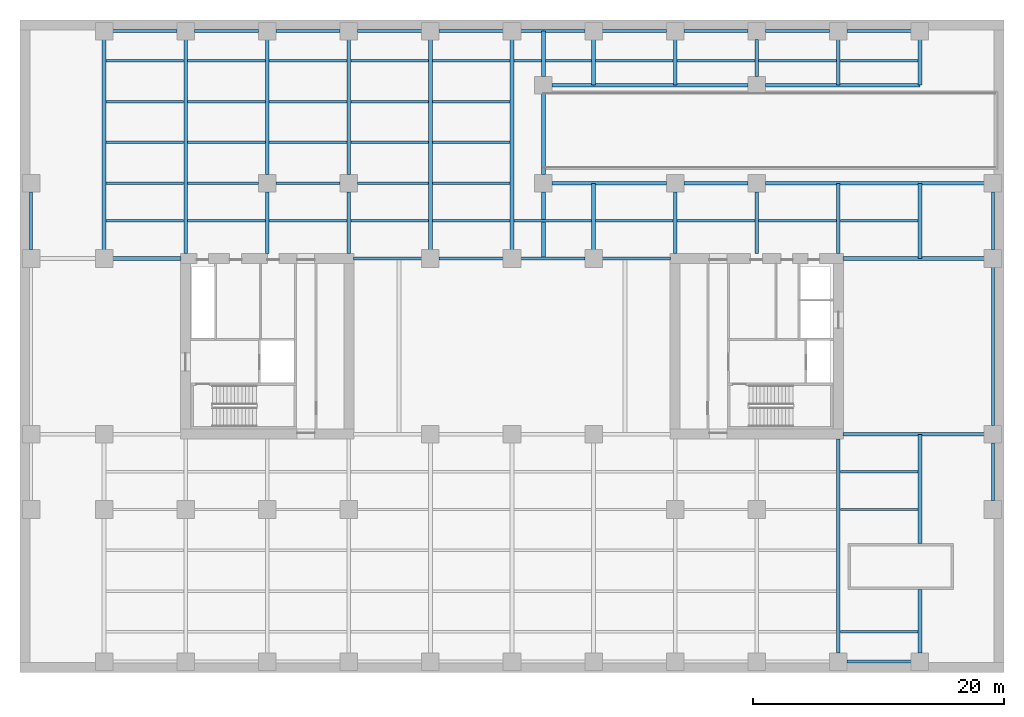
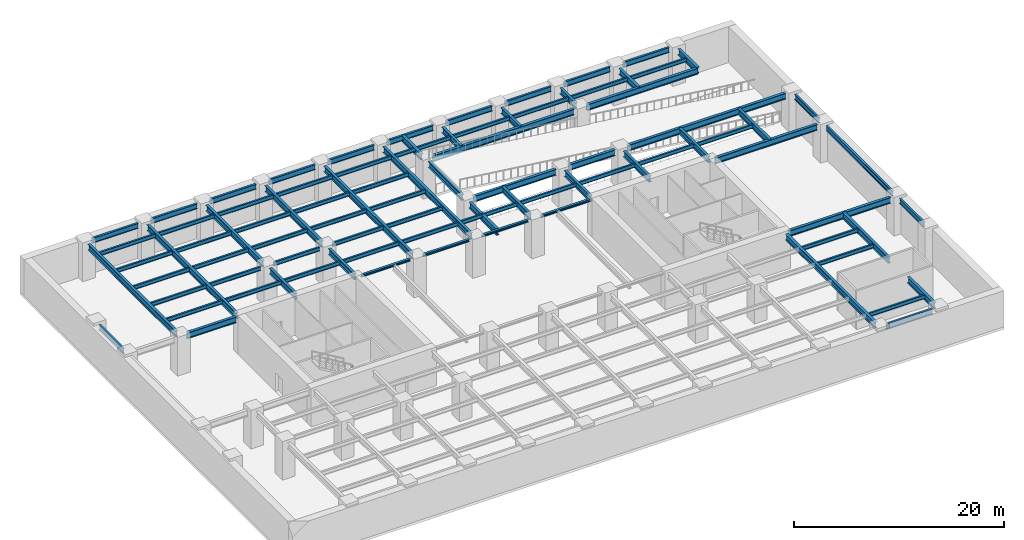
# One storey, part 2 of 10: 89 beams.
"""IFC4 building model written with IfcOpenShell, lengths in metres."""

from ifc_helpers import new_model, si_unit, direction, frame, origin, origin_2d, place, context, subcontext, project, spatial, i_section, extrude, material, material_profile, profile_set, type_object, element, save


model = new_model("IFC4")

# Units and contexts
model_context = context("Model", 3, precision=1e-05, world=origin(), true_north=direction((0.0, 1.0)))
body_context = subcontext(model_context, "Body", "Model", "MODEL_VIEW")
ifc_project = project(units=[si_unit("LENGTHUNIT", "METRE"), si_unit("AREAUNIT", "SQUARE_METRE"), si_unit("VOLUMEUNIT", "CUBIC_METRE"), si_unit("PLANEANGLEUNIT", "RADIAN"), si_unit("MASSUNIT", "GRAM", prefix="KILO")], contexts=[model_context])

# Site, building, storey
site_placement = place(None, origin())
site = spatial("IfcSite", under=ifc_project, at=site_placement, CompositionType="ELEMENT")
building_placement = place(site_placement, origin())
building = spatial("IfcBuilding", under=site, at=building_placement, Name="Putna Gate Headquarters", CompositionType="ELEMENT")
storey_placement = place(building_placement, frame((0.0, 0.0, -9.0)))
storey = spatial("IfcBuildingStorey", under=building, at=storey_placement, Name="B02", CompositionType="ELEMENT", Elevation=-9.0)

# Beams
ifc_material = material(Name="Steel S355J2", Category="steel")
ifc_material_profile_1 = material_profile(ifc_material, i_section(OverallWidth=0.260009765625, OverallDepth=0.260009765625, WebThickness=0.010009765625, FlangeThickness=0.017578125, at=origin_2d()), Name="Steel S355J2")
ifc_profile_set_1 = profile_set([ifc_material_profile_1], Name="Steel S355J2")
beam_type_1 = type_object("IfcBeamType", Name="BM-ATRIUM-HEB260", PredefinedType="BEAM", material=ifc_profile_set_1)
beam_1_placement = place(storey_placement, frame((26.385009765625, 33.0, 4.070068359375), z_axis=(1.0, 0.0, 0.0), x_axis=(0.0, 1.0, 0.0)))
element("IfcBeam", 1, at=beam_1_placement, inside=storey, type_object=beam_type_1, Name="B02 Atrium Edge Beam AN1", PredefinedType="BEAM", context=body_context, shape_type="SweptSolid", body=[
    extrude(i_section(OverallWidth=0.260009765625, OverallDepth=0.260009765625, WebThickness=0.010009765625, FlangeThickness=0.017578125, at=origin_2d()), origin(), (0.0, 0.0, 1.0), 5.427001953125),
])
for number, where, z_axis, x_axis, name in (
    (2, (33.18798828125, 33.0, 4.070068359375), (1.0, 0.0, 0.0), (0.0, 1.0, 0.0), "B02 Atrium Edge Beam AN2"),
    (3, (39.68798828125, 33.0, 4.070068359375), (1.0, 0.0, 0.0), (0.0, 1.0, 0.0), "B02 Atrium Edge Beam AN3"),
):
    element("IfcBeam", number, at=place(storey_placement, frame(where, z_axis=z_axis, x_axis=x_axis)), inside=storey, type_object=beam_type_1, Name=name, PredefinedType="BEAM", context=body_context, shape_type="SweptSolid", body=[
        extrude(i_section(OverallWidth=0.260009765625, OverallDepth=0.260009765625, WebThickness=0.010009765625, FlangeThickness=0.017578125, at=origin_2d()), origin(), (0.0, 0.0, 1.0), 5.1240234375),
    ])
beam_2_placement = place(storey_placement, frame((46.18798828125, 33.0, 4.070068359375), z_axis=(1.0, 0.0, 0.0), x_axis=(0.0, 1.0, 0.0)))
element("IfcBeam", 4, at=beam_2_placement, inside=storey, type_object=beam_type_1, Name="B02 Atrium Edge Beam AN4", PredefinedType="BEAM", context=body_context, shape_type="SweptSolid", body=[
    extrude(i_section(OverallWidth=0.260009765625, OverallDepth=0.260009765625, WebThickness=0.010009765625, FlangeThickness=0.017578125, at=origin_2d()), origin(), (0.0, 0.0, 1.0), 5.427001953125),
])
ifc_material_profile_2 = material_profile(ifc_material, i_section(OverallWidth=0.300048828125, OverallDepth=0.699951171875, WebThickness=0.01708984375, FlangeThickness=0.031982421875, at=origin_2d()), Name="Steel S355J2")
ifc_profile_set_2 = profile_set([ifc_material_profile_2], Name="Steel S355J2")
beam_type_2 = type_object("IfcBeamType", Name="BM-GIRD-B-HEB700", PredefinedType="USERDEFINED", material=ifc_profile_set_2)
beam_3_placement = place(storey_placement, frame((65.385009765625, 19.0, 3.85009765625), z_axis=(1.0, 0.0, 0.0), x_axis=(0.0, 1.0, 0.0)))
element("IfcBeam", 5, at=beam_3_placement, inside=storey, type_object=beam_type_2, Name="B02 East Wing Girder Y19", ObjectType="GIRDER", PredefinedType="USERDEFINED", context=body_context, shape_type="SweptSolid", body=[
    extrude(i_section(OverallWidth=0.300048828125, OverallDepth=0.699951171875, WebThickness=0.01708984375, FlangeThickness=0.031982421875, at=origin_2d()), origin(), (0.0, 0.0, 1.0), 11.2470703125),
])
beam_4_placement = place(storey_placement, frame((7.18798828125, 33.0, 3.85009765625), z_axis=(1.0, 0.0, 0.0), x_axis=(0.0, 1.0, 0.0)))
element("IfcBeam", 6, at=beam_4_placement, inside=storey, type_object=beam_type_2, Name="B02 West Wing Girder Y33-2", ObjectType="GIRDER", PredefinedType="USERDEFINED", context=body_context, shape_type="SweptSolid", body=[
    extrude(i_section(OverallWidth=0.300048828125, OverallDepth=0.699951171875, WebThickness=0.01708984375, FlangeThickness=0.031982421875, at=origin_2d()), origin(), (0.0, 0.0, 1.0), 5.427001953125),
])
beam_5_placement = place(storey_placement, frame((65.385009765625, 33.0, 3.85009765625), z_axis=(1.0, 0.0, 0.0), x_axis=(0.0, 1.0, 0.0)))
element("IfcBeam", 7, at=beam_5_placement, inside=storey, type_object=beam_type_2, Name="B02 East Wing Girder Y33", ObjectType="GIRDER", PredefinedType="USERDEFINED", context=body_context, shape_type="SweptSolid", body=[
    extrude(i_section(OverallWidth=0.300048828125, OverallDepth=0.699951171875, WebThickness=0.01708984375, FlangeThickness=0.031982421875, at=origin_2d()), origin(), (0.0, 0.0, 1.0), 11.2470703125),
])
beam_6_placement = place(storey_placement, frame((41.5, 33.011962890625, 3.85009765625), z_axis=(0.0, 1.0, 0.0), x_axis=(-1.0, 0.0, 0.0)))
element("IfcBeam", 8, at=beam_6_placement, inside=storey, type_object=beam_type_2, Name="B02 Ramp Well Trimmer Girder W", ObjectType="GIRDER", PredefinedType="USERDEFINED", context=body_context, shape_type="SweptSolid", body=[
    extrude(i_section(OverallWidth=0.300048828125, OverallDepth=0.699951171875, WebThickness=0.01708984375, FlangeThickness=0.031982421875, at=origin_2d()), origin(), (0.0, 0.0, 1.0), 5.300048828125),
])
beam_7_placement = place(storey_placement, frame((41.5, 39.68798828125, 3.85009765625), z_axis=(0.0, 1.0, 0.0), x_axis=(-1.0, 0.0, 0.0)))
element("IfcBeam", 9, at=beam_7_placement, inside=storey, type_object=beam_type_2, Name="B02 Ramp Well Trimmer Girder WM", ObjectType="GIRDER", PredefinedType="USERDEFINED", context=body_context, shape_type="SweptSolid", body=[
    extrude(i_section(OverallWidth=0.300048828125, OverallDepth=0.699951171875, WebThickness=0.01708984375, FlangeThickness=0.031982421875, at=origin_2d()), origin(), (0.0, 0.0, 1.0), 6.424072265625),
])
beam_8_placement = place(storey_placement, frame((41.5, 47.488037109375, 3.85009765625), z_axis=(0.0, 1.0, 0.0), x_axis=(-1.0, 0.0, 0.0)))
element("IfcBeam", 10, at=beam_8_placement, inside=storey, type_object=beam_type_2, Name="B02 Ramp Well Trimmer Girder WN", ObjectType="GIRDER", PredefinedType="USERDEFINED", context=body_context, shape_type="SweptSolid", body=[
    extrude(i_section(OverallWidth=0.300048828125, OverallDepth=0.699951171875, WebThickness=0.01708984375, FlangeThickness=0.031982421875, at=origin_2d()), origin(), (0.0, 0.0, 1.0), 3.619873046875),
])
beam_9_placement = place(storey_placement, frame((42.18798828125, 39.0, 3.85009765625), z_axis=(1.0, 0.0, 0.0), x_axis=(0.0, 1.0, 0.0)))
element("IfcBeam", 11, at=beam_9_placement, inside=storey, type_object=beam_type_2, Name="B02 Ramp Well Trimmer Girder S1", ObjectType="GIRDER", PredefinedType="USERDEFINED", context=body_context, shape_type="SweptSolid", body=[
    extrude(i_section(OverallWidth=0.300048828125, OverallDepth=0.699951171875, WebThickness=0.01708984375, FlangeThickness=0.031982421875, at=origin_2d()), origin(), (0.0, 0.0, 1.0), 9.1240234375),
])
beam_10_placement = place(storey_placement, frame((52.68798828125, 39.0, 3.85009765625), z_axis=(1.0, 0.0, 0.0), x_axis=(0.0, 1.0, 0.0)))
element("IfcBeam", 12, at=beam_10_placement, inside=storey, type_object=beam_type_2, Name="B02 Ramp Well Trimmer Girder S2", ObjectType="GIRDER", PredefinedType="USERDEFINED", context=body_context, shape_type="SweptSolid", body=[
    extrude(i_section(OverallWidth=0.300048828125, OverallDepth=0.699951171875, WebThickness=0.01708984375, FlangeThickness=0.031982421875, at=origin_2d()), origin(), (0.0, 0.0, 1.0), 5.1240234375),
])
beam_11_placement = place(storey_placement, frame((59.18798828125, 39.0, 3.85009765625), z_axis=(1.0, 0.0, 0.0), x_axis=(0.0, 1.0, 0.0)))
element("IfcBeam", 13, at=beam_11_placement, inside=storey, type_object=beam_type_2, Name="B02 Ramp Well Trimmer Girder S3", ObjectType="GIRDER", PredefinedType="USERDEFINED", context=body_context, shape_type="SweptSolid", body=[
    extrude(i_section(OverallWidth=0.300048828125, OverallDepth=0.699951171875, WebThickness=0.01708984375, FlangeThickness=0.031982421875, at=origin_2d()), origin(), (0.0, 0.0, 1.0), 17.444091796875),
])
beam_12_placement = place(storey_placement, frame((42.18798828125, 46.800048828125, 3.85009765625), z_axis=(1.0, 0.0, 0.0), x_axis=(0.0, 1.0, 0.0)))
element("IfcBeam", 14, at=beam_12_placement, inside=storey, type_object=beam_type_2, Name="B02 Ramp Well Trimmer Girder N1", ObjectType="GIRDER", PredefinedType="USERDEFINED", context=body_context, shape_type="SweptSolid", body=[
    extrude(i_section(OverallWidth=0.300048828125, OverallDepth=0.699951171875, WebThickness=0.01708984375, FlangeThickness=0.031982421875, at=origin_2d()), origin(), (0.0, 0.0, 1.0), 15.6240234375),
])
beam_13_placement = place(storey_placement, frame((59.18798828125, 46.800048828125, 3.85009765625), z_axis=(1.0, 0.0, 0.0), x_axis=(0.0, 1.0, 0.0)))
element("IfcBeam", 15, at=beam_13_placement, inside=storey, type_object=beam_type_2, Name="B02 Ramp Well Trimmer Girder N2", ObjectType="GIRDER", PredefinedType="USERDEFINED", context=body_context, shape_type="SweptSolid", body=[
    extrude(i_section(OverallWidth=0.300048828125, OverallDepth=0.699951171875, WebThickness=0.01708984375, FlangeThickness=0.031982421875, at=origin_2d()), origin(), (0.0, 0.0, 1.0), 12.300048828125),
])
beam_14_placement = place(storey_placement, frame((6.5, 33.68798828125, 3.85009765625), z_axis=(0.0, 1.0, 0.0), x_axis=(-1.0, 0.0, 0.0)))
element("IfcBeam", 16, at=beam_14_placement, inside=storey, type_object=beam_type_2, Name="B02 North Primary Girder X6", ObjectType="GIRDER", PredefinedType="USERDEFINED", context=body_context, shape_type="SweptSolid", body=[
    extrude(i_section(OverallWidth=0.300048828125, OverallDepth=0.699951171875, WebThickness=0.01708984375, FlangeThickness=0.031982421875, at=origin_2d()), origin(), (0.0, 0.0, 1.0), 16.743896484375),
])
beam_15_placement = place(storey_placement, frame((13.0, 33.385009765625, 3.85009765625), z_axis=(0.0, 1.0, 0.0), x_axis=(-1.0, 0.0, 0.0)))
element("IfcBeam", 17, at=beam_15_placement, inside=storey, type_object=beam_type_2, Name="B02 North Primary Girder X13", ObjectType="GIRDER", PredefinedType="USERDEFINED", context=body_context, shape_type="SweptSolid", body=[
    extrude(i_section(OverallWidth=0.300048828125, OverallDepth=0.699951171875, WebThickness=0.01708984375, FlangeThickness=0.031982421875, at=origin_2d()), origin(), (0.0, 0.0, 1.0), 17.046875),
])
beam_16_placement = place(storey_placement, frame((19.5, 33.385009765625, 3.85009765625), z_axis=(0.0, 1.0, 0.0), x_axis=(-1.0, 0.0, 0.0)))
element("IfcBeam", 18, at=beam_16_placement, inside=storey, type_object=beam_type_2, Name="B02 North Primary Girder X19-1", ObjectType="GIRDER", PredefinedType="USERDEFINED", context=body_context, shape_type="SweptSolid", body=[
    extrude(i_section(OverallWidth=0.300048828125, OverallDepth=0.699951171875, WebThickness=0.01708984375, FlangeThickness=0.031982421875, at=origin_2d()), origin(), (0.0, 0.0, 1.0), 4.927001953125),
])
beam_17_placement = place(storey_placement, frame((19.5, 39.68798828125, 3.85009765625), z_axis=(0.0, 1.0, 0.0), x_axis=(-1.0, 0.0, 0.0)))
element("IfcBeam", 19, at=beam_17_placement, inside=storey, type_object=beam_type_2, Name="B02 North Primary Girder X19-2", ObjectType="GIRDER", PredefinedType="USERDEFINED", context=body_context, shape_type="SweptSolid", body=[
    extrude(i_section(OverallWidth=0.300048828125, OverallDepth=0.699951171875, WebThickness=0.01708984375, FlangeThickness=0.031982421875, at=origin_2d()), origin(), (0.0, 0.0, 1.0), 10.743896484375),
])
beam_18_placement = place(storey_placement, frame((26.0, 33.385009765625, 3.85009765625), z_axis=(0.0, 1.0, 0.0), x_axis=(-1.0, 0.0, 0.0)))
element("IfcBeam", 20, at=beam_18_placement, inside=storey, type_object=beam_type_2, Name="B02 North Primary Girder X26-1", ObjectType="GIRDER", PredefinedType="USERDEFINED", context=body_context, shape_type="SweptSolid", body=[
    extrude(i_section(OverallWidth=0.300048828125, OverallDepth=0.699951171875, WebThickness=0.01708984375, FlangeThickness=0.031982421875, at=origin_2d()), origin(), (0.0, 0.0, 1.0), 4.927001953125),
])
beam_19_placement = place(storey_placement, frame((26.0, 39.68798828125, 3.85009765625), z_axis=(0.0, 1.0, 0.0), x_axis=(-1.0, 0.0, 0.0)))
element("IfcBeam", 21, at=beam_19_placement, inside=storey, type_object=beam_type_2, Name="B02 North Primary Girder X26-2", ObjectType="GIRDER", PredefinedType="USERDEFINED", context=body_context, shape_type="SweptSolid", body=[
    extrude(i_section(OverallWidth=0.300048828125, OverallDepth=0.699951171875, WebThickness=0.01708984375, FlangeThickness=0.031982421875, at=origin_2d()), origin(), (0.0, 0.0, 1.0), 10.743896484375),
])
for number, where, z_axis, x_axis, name in (
    (22, (32.5, 33.68798828125, 3.85009765625), (0.0, 1.0, 0.0), (-1.0, 0.0, 0.0), "B02 North Primary Girder X32"),
    (23, (39.0, 33.68798828125, 3.85009765625), (0.0, 1.0, 0.0), (-1.0, 0.0, 0.0), "B02 North Primary Girder X39"),
):
    element("IfcBeam", number, at=place(storey_placement, frame(where, z_axis=z_axis, x_axis=x_axis)), inside=storey, type_object=beam_type_2, Name=name, ObjectType="GIRDER", PredefinedType="USERDEFINED", context=body_context, shape_type="SweptSolid", body=[
        extrude(i_section(OverallWidth=0.300048828125, OverallDepth=0.699951171875, WebThickness=0.01708984375, FlangeThickness=0.031982421875, at=origin_2d()), origin(), (0.0, 0.0, 1.0), 16.743896484375),
    ])
beam_20_placement = place(storey_placement, frame((45.5, 33.68798828125, 3.85009765625), z_axis=(0.0, 1.0, 0.0), x_axis=(-1.0, 0.0, 0.0)))
element("IfcBeam", 24, at=beam_20_placement, inside=storey, type_object=beam_type_2, Name="B02 North Girder X45-1", ObjectType="GIRDER", PredefinedType="USERDEFINED", context=body_context, shape_type="SweptSolid", body=[
    extrude(i_section(OverallWidth=0.300048828125, OverallDepth=0.699951171875, WebThickness=0.01708984375, FlangeThickness=0.031982421875, at=origin_2d()), origin(), (0.0, 0.0, 1.0), 5.300048828125),
])
beam_21_placement = place(storey_placement, frame((45.5, 46.81201171875, 3.85009765625), z_axis=(0.0, 1.0, 0.0), x_axis=(-1.0, 0.0, 0.0)))
element("IfcBeam", 25, at=beam_21_placement, inside=storey, type_object=beam_type_2, Name="B02 North Ramp Edge Girder X45", ObjectType="GIRDER", PredefinedType="USERDEFINED", context=body_context, shape_type="SweptSolid", body=[
    extrude(i_section(OverallWidth=0.300048828125, OverallDepth=0.699951171875, WebThickness=0.01708984375, FlangeThickness=0.031982421875, at=origin_2d()), origin(), (0.0, 0.0, 1.0), 3.619873046875),
])
beam_22_placement = place(storey_placement, frame((52.0, 33.385009765625, 3.85009765625), z_axis=(0.0, 1.0, 0.0), x_axis=(-1.0, 0.0, 0.0)))
element("IfcBeam", 26, at=beam_22_placement, inside=storey, type_object=beam_type_2, Name="B02 North Girder X52-1", ObjectType="GIRDER", PredefinedType="USERDEFINED", context=body_context, shape_type="SweptSolid", body=[
    extrude(i_section(OverallWidth=0.300048828125, OverallDepth=0.699951171875, WebThickness=0.01708984375, FlangeThickness=0.031982421875, at=origin_2d()), origin(), (0.0, 0.0, 1.0), 4.927001953125),
])
beam_23_placement = place(storey_placement, frame((52.0, 46.81201171875, 3.85009765625), z_axis=(0.0, 1.0, 0.0), x_axis=(-1.0, 0.0, 0.0)))
element("IfcBeam", 27, at=beam_23_placement, inside=storey, type_object=beam_type_2, Name="B02 North Ramp Edge Girder X52", ObjectType="GIRDER", PredefinedType="USERDEFINED", context=body_context, shape_type="SweptSolid", body=[
    extrude(i_section(OverallWidth=0.300048828125, OverallDepth=0.699951171875, WebThickness=0.01708984375, FlangeThickness=0.031982421875, at=origin_2d()), origin(), (0.0, 0.0, 1.0), 3.619873046875),
])
beam_24_placement = place(storey_placement, frame((58.5, 33.385009765625, 3.85009765625), z_axis=(0.0, 1.0, 0.0), x_axis=(-1.0, 0.0, 0.0)))
element("IfcBeam", 28, at=beam_24_placement, inside=storey, type_object=beam_type_2, Name="B02 North Girder X58-1", ObjectType="GIRDER", PredefinedType="USERDEFINED", context=body_context, shape_type="SweptSolid", body=[
    extrude(i_section(OverallWidth=0.300048828125, OverallDepth=0.699951171875, WebThickness=0.01708984375, FlangeThickness=0.031982421875, at=origin_2d()), origin(), (0.0, 0.0, 1.0), 4.927001953125),
])
beam_25_placement = place(storey_placement, frame((58.5, 47.488037109375, 3.85009765625), z_axis=(0.0, 1.0, 0.0), x_axis=(-1.0, 0.0, 0.0)))
element("IfcBeam", 29, at=beam_25_placement, inside=storey, type_object=beam_type_2, Name="B02 North Ramp Edge Girder X58", ObjectType="GIRDER", PredefinedType="USERDEFINED", context=body_context, shape_type="SweptSolid", body=[
    extrude(i_section(OverallWidth=0.300048828125, OverallDepth=0.699951171875, WebThickness=0.01708984375, FlangeThickness=0.031982421875, at=origin_2d()), origin(), (0.0, 0.0, 1.0), 2.94384765625),
])
beam_26_placement = place(storey_placement, frame((65.0, 1.568115234375, 3.85009765625), z_axis=(0.0, 1.0, 0.0), x_axis=(-1.0, 0.0, 0.0)))
element("IfcBeam", 30, at=beam_26_placement, inside=storey, type_object=beam_type_2, Name="B02 South Primary Girder X65", ObjectType="GIRDER", PredefinedType="USERDEFINED", context=body_context, shape_type="SweptSolid", body=[
    extrude(i_section(OverallWidth=0.300048828125, OverallDepth=0.699951171875, WebThickness=0.01708984375, FlangeThickness=0.031982421875, at=origin_2d()), origin(), (0.0, 0.0, 1.0), 17.046875),
])
beam_27_placement = place(storey_placement, frame((65.0, 33.385009765625, 3.85009765625), z_axis=(0.0, 1.0, 0.0), x_axis=(-1.0, 0.0, 0.0)))
element("IfcBeam", 31, at=beam_27_placement, inside=storey, type_object=beam_type_2, Name="B02 North Girder X65-1", ObjectType="GIRDER", PredefinedType="USERDEFINED", context=body_context, shape_type="SweptSolid", body=[
    extrude(i_section(OverallWidth=0.300048828125, OverallDepth=0.699951171875, WebThickness=0.01708984375, FlangeThickness=0.031982421875, at=origin_2d()), origin(), (0.0, 0.0, 1.0), 5.60302734375),
])
beam_28_placement = place(storey_placement, frame((65.0, 46.81201171875, 3.85009765625), z_axis=(0.0, 1.0, 0.0), x_axis=(-1.0, 0.0, 0.0)))
element("IfcBeam", 32, at=beam_28_placement, inside=storey, type_object=beam_type_2, Name="B02 North Ramp Edge Girder X65", ObjectType="GIRDER", PredefinedType="USERDEFINED", context=body_context, shape_type="SweptSolid", body=[
    extrude(i_section(OverallWidth=0.300048828125, OverallDepth=0.699951171875, WebThickness=0.01708984375, FlangeThickness=0.031982421875, at=origin_2d()), origin(), (0.0, 0.0, 1.0), 3.619873046875),
])
beam_29_placement = place(storey_placement, frame((71.5, 1.568115234375, 3.85009765625), z_axis=(0.0, 1.0, 0.0), x_axis=(-1.0, 0.0, 0.0)))
element("IfcBeam", 33, at=beam_29_placement, inside=storey, type_object=beam_type_2, Name="B02 South Girder X71-A", ObjectType="GIRDER", PredefinedType="USERDEFINED", context=body_context, shape_type="SweptSolid", body=[
    extrude(i_section(OverallWidth=0.300048828125, OverallDepth=0.699951171875, WebThickness=0.01708984375, FlangeThickness=0.031982421875, at=origin_2d()), origin(), (0.0, 0.0, 1.0), 5.056884765625),
])
beam_30_placement = place(storey_placement, frame((71.5, 10.27490234375, 3.85009765625), z_axis=(0.0, 1.0, 0.0), x_axis=(-1.0, 0.0, 0.0)))
element("IfcBeam", 34, at=beam_30_placement, inside=storey, type_object=beam_type_2, Name="B02 South Girder X71-B", ObjectType="GIRDER", PredefinedType="USERDEFINED", context=body_context, shape_type="SweptSolid", body=[
    extrude(i_section(OverallWidth=0.300048828125, OverallDepth=0.699951171875, WebThickness=0.01708984375, FlangeThickness=0.031982421875, at=origin_2d()), origin(), (0.0, 0.0, 1.0), 8.713134765625),
])
beam_31_placement = place(storey_placement, frame((71.5, 33.011962890625, 3.85009765625), z_axis=(0.0, 1.0, 0.0), x_axis=(-1.0, 0.0, 0.0)))
element("IfcBeam", 35, at=beam_31_placement, inside=storey, type_object=beam_type_2, Name="B02 North Girder X71-1", ObjectType="GIRDER", PredefinedType="USERDEFINED", context=body_context, shape_type="SweptSolid", body=[
    extrude(i_section(OverallWidth=0.300048828125, OverallDepth=0.699951171875, WebThickness=0.01708984375, FlangeThickness=0.031982421875, at=origin_2d()), origin(), (0.0, 0.0, 1.0), 5.97607421875),
])
beam_32_placement = place(storey_placement, frame((71.5, 46.81201171875, 3.85009765625), z_axis=(0.0, 1.0, 0.0), x_axis=(-1.0, 0.0, 0.0)))
element("IfcBeam", 36, at=beam_32_placement, inside=storey, type_object=beam_type_2, Name="B02 North Ramp Edge Girder X71", ObjectType="GIRDER", PredefinedType="USERDEFINED", context=body_context, shape_type="SweptSolid", body=[
    extrude(i_section(OverallWidth=0.300048828125, OverallDepth=0.699951171875, WebThickness=0.01708984375, FlangeThickness=0.031982421875, at=origin_2d()), origin(), (0.0, 0.0, 1.0), 3.619873046875),
])
ifc_material_profile_3 = material_profile(ifc_material, i_section(OverallWidth=0.18994140625, OverallDepth=0.449951171875, WebThickness=0.009521484375, FlangeThickness=0.0146484375, at=origin_2d()), Name="Steel S355J2")
ifc_profile_set_3 = profile_set([ifc_material_profile_3], Name="Steel S355J2")
beam_type_3 = type_object("IfcBeamType", Name="BM-SEC-B-IPE450", PredefinedType="BEAM", material=ifc_profile_set_3)
for number, where, z_axis, x_axis, name in (
    (37, (6.654052734375, 36.0, 3.97509765625), (1.0, 0.0, 0.0), (0.0, 1.0, 0.0), "B02 North Secondary Beam 1"),
    (38, (6.654052734375, 39.0, 3.97509765625), (1.0, 0.0, 0.0), (0.0, 1.0, 0.0), "B02 North Secondary Beam 1"),
    (39, (6.654052734375, 42.25, 3.97509765625), (1.0, 0.0, 0.0), (0.0, 1.0, 0.0), "B02 North Secondary Beam 1"),
    (40, (6.654052734375, 45.5, 3.97509765625), (1.0, 0.0, 0.0), (0.0, 1.0, 0.0), "B02 North Secondary Beam 1"),
    (41, (6.654052734375, 48.75, 3.97509765625), (1.0, 0.0, 0.0), (0.0, 1.0, 0.0), "B02 North Secondary Beam 1"),
    (42, (13.154052734375, 36.0, 3.97509765625), (1.0, 0.0, 0.0), (0.0, 1.0, 0.0), "B02 North Secondary Beam 2"),
):
    element("IfcBeam", number, at=place(storey_placement, frame(where, z_axis=z_axis, x_axis=x_axis)), inside=storey, type_object=beam_type_3, Name=name, PredefinedType="BEAM", context=body_context, shape_type="SweptSolid", body=[
        extrude(i_section(OverallWidth=0.18994140625, OverallDepth=0.449951171875, WebThickness=0.009521484375, FlangeThickness=0.0146484375, at=origin_2d()), origin(), (0.0, 0.0, 1.0), 6.19189453125),
    ])
beam_33_placement = place(storey_placement, frame((13.154052734375, 39.0, 3.97509765625), z_axis=(1.0, 0.0, 0.0), x_axis=(0.0, 1.0, 0.0)))
element("IfcBeam", 43, at=beam_33_placement, inside=storey, type_object=beam_type_3, Name="B02 North Secondary Beam 2", PredefinedType="BEAM", context=body_context, shape_type="SweptSolid", body=[
    extrude(i_section(OverallWidth=0.18994140625, OverallDepth=0.449951171875, WebThickness=0.009521484375, FlangeThickness=0.0146484375, at=origin_2d()), origin(), (0.0, 0.0, 1.0), 5.657958984375),
])
for number, where, z_axis, x_axis, name in (
    (44, (13.154052734375, 42.25, 3.97509765625), (1.0, 0.0, 0.0), (0.0, 1.0, 0.0), "B02 North Secondary Beam 2"),
    (45, (13.154052734375, 45.5, 3.97509765625), (1.0, 0.0, 0.0), (0.0, 1.0, 0.0), "B02 North Secondary Beam 2"),
    (46, (13.154052734375, 48.75, 3.97509765625), (1.0, 0.0, 0.0), (0.0, 1.0, 0.0), "B02 North Secondary Beam 2"),
    (47, (19.654052734375, 36.0, 3.97509765625), (1.0, 0.0, 0.0), (0.0, 1.0, 0.0), "B02 North Secondary Beam 3"),
):
    element("IfcBeam", number, at=place(storey_placement, frame(where, z_axis=z_axis, x_axis=x_axis)), inside=storey, type_object=beam_type_3, Name=name, PredefinedType="BEAM", context=body_context, shape_type="SweptSolid", body=[
        extrude(i_section(OverallWidth=0.18994140625, OverallDepth=0.449951171875, WebThickness=0.009521484375, FlangeThickness=0.0146484375, at=origin_2d()), origin(), (0.0, 0.0, 1.0), 6.19189453125),
    ])
beam_34_placement = place(storey_placement, frame((20.18798828125, 39.0, 3.97509765625), z_axis=(1.0, 0.0, 0.0), x_axis=(0.0, 1.0, 0.0)))
element("IfcBeam", 48, at=beam_34_placement, inside=storey, type_object=beam_type_3, Name="B02 North Secondary Beam 3", PredefinedType="BEAM", context=body_context, shape_type="SweptSolid", body=[
    extrude(i_section(OverallWidth=0.18994140625, OverallDepth=0.449951171875, WebThickness=0.009521484375, FlangeThickness=0.0146484375, at=origin_2d()), origin(), (0.0, 0.0, 1.0), 5.1240234375),
])
for number, where, z_axis, x_axis, name in (
    (49, (19.654052734375, 42.25, 3.97509765625), (1.0, 0.0, 0.0), (0.0, 1.0, 0.0), "B02 North Secondary Beam 3"),
    (50, (19.654052734375, 45.5, 3.97509765625), (1.0, 0.0, 0.0), (0.0, 1.0, 0.0), "B02 North Secondary Beam 3"),
    (51, (19.654052734375, 48.75, 3.97509765625), (1.0, 0.0, 0.0), (0.0, 1.0, 0.0), "B02 North Secondary Beam 3"),
    (52, (26.154052734375, 36.0, 3.97509765625), (1.0, 0.0, 0.0), (0.0, 1.0, 0.0), "B02 North Secondary Beam 4"),
):
    element("IfcBeam", number, at=place(storey_placement, frame(where, z_axis=z_axis, x_axis=x_axis)), inside=storey, type_object=beam_type_3, Name=name, PredefinedType="BEAM", context=body_context, shape_type="SweptSolid", body=[
        extrude(i_section(OverallWidth=0.18994140625, OverallDepth=0.449951171875, WebThickness=0.009521484375, FlangeThickness=0.0146484375, at=origin_2d()), origin(), (0.0, 0.0, 1.0), 6.19189453125),
    ])
beam_35_placement = place(storey_placement, frame((26.68798828125, 39.0, 3.97509765625), z_axis=(1.0, 0.0, 0.0), x_axis=(0.0, 1.0, 0.0)))
element("IfcBeam", 53, at=beam_35_placement, inside=storey, type_object=beam_type_3, Name="B02 North Secondary Beam 4", PredefinedType="BEAM", context=body_context, shape_type="SweptSolid", body=[
    extrude(i_section(OverallWidth=0.18994140625, OverallDepth=0.449951171875, WebThickness=0.009521484375, FlangeThickness=0.0146484375, at=origin_2d()), origin(), (0.0, 0.0, 1.0), 5.657958984375),
])
for number, where, z_axis, x_axis, name in (
    (54, (26.154052734375, 42.25, 3.97509765625), (1.0, 0.0, 0.0), (0.0, 1.0, 0.0), "B02 North Secondary Beam 4"),
    (55, (26.154052734375, 45.5, 3.97509765625), (1.0, 0.0, 0.0), (0.0, 1.0, 0.0), "B02 North Secondary Beam 4"),
    (56, (26.154052734375, 48.75, 3.97509765625), (1.0, 0.0, 0.0), (0.0, 1.0, 0.0), "B02 North Secondary Beam 4"),
    (57, (32.654052734375, 36.0, 3.97509765625), (1.0, 0.0, 0.0), (0.0, 1.0, 0.0), "B02 North Secondary Beam 5"),
    (58, (32.654052734375, 39.0, 3.97509765625), (1.0, 0.0, 0.0), (0.0, 1.0, 0.0), "B02 North Secondary Beam 5"),
    (59, (32.654052734375, 42.25, 3.97509765625), (1.0, 0.0, 0.0), (0.0, 1.0, 0.0), "B02 North Secondary Beam 5"),
    (60, (32.654052734375, 45.5, 3.97509765625), (1.0, 0.0, 0.0), (0.0, 1.0, 0.0), "B02 North Secondary Beam 5"),
    (61, (32.654052734375, 48.75, 3.97509765625), (1.0, 0.0, 0.0), (0.0, 1.0, 0.0), "B02 North Secondary Beam 5"),
    (62, (39.154052734375, 36.0, 3.97509765625), (1.0, 0.0, 0.0), (0.0, 1.0, 0.0), "B02 North Secondary Beam 6"),
    (63, (39.154052734375, 48.75, 3.97509765625), (1.0, 0.0, 0.0), (0.0, 1.0, 0.0), "B02 North Secondary Beam 6"),
    (64, (45.654052734375, 36.0, 3.97509765625), (1.0, 0.0, 0.0), (0.0, 1.0, 0.0), "B02 North Secondary Beam 7"),
    (65, (45.654052734375, 48.75, 3.97509765625), (1.0, 0.0, 0.0), (0.0, 1.0, 0.0), "B02 North Secondary Beam 7"),
    (66, (52.154052734375, 36.0, 3.97509765625), (1.0, 0.0, 0.0), (0.0, 1.0, 0.0), "B02 North Secondary Beam 8"),
    (67, (52.154052734375, 48.75, 3.97509765625), (1.0, 0.0, 0.0), (0.0, 1.0, 0.0), "B02 North Secondary Beam 8"),
    (68, (58.654052734375, 36.0, 3.97509765625), (1.0, 0.0, 0.0), (0.0, 1.0, 0.0), "B02 North Secondary Beam 9"),
    (69, (58.654052734375, 48.75, 3.97509765625), (1.0, 0.0, 0.0), (0.0, 1.0, 0.0), "B02 North Secondary Beam 9"),
    (70, (65.154052734375, 3.25, 3.97509765625), (1.0, 0.0, 0.0), (0.0, 1.0, 0.0), "B02 South Secondary Beam 10"),
    (71, (65.154052734375, 13.0, 3.97509765625), (1.0, 0.0, 0.0), (0.0, 1.0, 0.0), "B02 South Secondary Beam 10"),
    (72, (65.154052734375, 16.0, 3.97509765625), (1.0, 0.0, 0.0), (0.0, 1.0, 0.0), "B02 South Secondary Beam 10"),
    (73, (65.154052734375, 36.0, 3.97509765625), (1.0, 0.0, 0.0), (0.0, 1.0, 0.0), "B02 North Secondary Beam 10"),
    (74, (65.154052734375, 48.75, 3.97509765625), (1.0, 0.0, 0.0), (0.0, 1.0, 0.0), "B02 North Secondary Beam 10"),
):
    element("IfcBeam", number, at=place(storey_placement, frame(where, z_axis=z_axis, x_axis=x_axis)), inside=storey, type_object=beam_type_3, Name=name, PredefinedType="BEAM", context=body_context, shape_type="SweptSolid", body=[
        extrude(i_section(OverallWidth=0.18994140625, OverallDepth=0.449951171875, WebThickness=0.009521484375, FlangeThickness=0.0146484375, at=origin_2d()), origin(), (0.0, 0.0, 1.0), 6.19189453125),
    ])
ifc_material_profile_4 = material_profile(ifc_material, i_section(OverallWidth=0.219970703125, OverallDepth=0.60009765625, WebThickness=0.011962890625, FlangeThickness=0.01904296875, at=origin_2d()), Name="Steel S355J2")
ifc_profile_set_4 = profile_set([ifc_material_profile_4], Name="Steel S355J2")
beam_type_4 = type_object("IfcBeamType", Name="BM-SPAN-B-IPE600", PredefinedType="SPANDREL", material=ifc_profile_set_4)
for number, where, z_axis, x_axis, name in (
    (75, (65.68798828125, 0.8798828125, 3.89990234375), (1.0, 0.0, 0.0), (0.0, 1.0, 0.0), "B02 S Perimeter Spandrel 10"),
    (76, (7.18798828125, 51.1201171875, 3.89990234375), (1.0, 0.0, 0.0), (0.0, 1.0, 0.0), "B02 N Perimeter Spandrel 1"),
    (77, (13.68798828125, 51.1201171875, 3.89990234375), (1.0, 0.0, 0.0), (0.0, 1.0, 0.0), "B02 N Perimeter Spandrel 2"),
    (78, (20.18798828125, 51.1201171875, 3.89990234375), (1.0, 0.0, 0.0), (0.0, 1.0, 0.0), "B02 N Perimeter Spandrel 3"),
    (79, (26.68798828125, 51.1201171875, 3.89990234375), (1.0, 0.0, 0.0), (0.0, 1.0, 0.0), "B02 N Perimeter Spandrel 4"),
    (80, (33.18798828125, 51.1201171875, 3.89990234375), (1.0, 0.0, 0.0), (0.0, 1.0, 0.0), "B02 N Perimeter Spandrel 5"),
    (81, (39.68798828125, 51.1201171875, 3.89990234375), (1.0, 0.0, 0.0), (0.0, 1.0, 0.0), "B02 N Perimeter Spandrel 6"),
    (82, (46.18798828125, 51.1201171875, 3.89990234375), (1.0, 0.0, 0.0), (0.0, 1.0, 0.0), "B02 N Perimeter Spandrel 7"),
    (83, (52.68798828125, 51.1201171875, 3.89990234375), (1.0, 0.0, 0.0), (0.0, 1.0, 0.0), "B02 N Perimeter Spandrel 8"),
    (84, (59.18798828125, 51.1201171875, 3.89990234375), (1.0, 0.0, 0.0), (0.0, 1.0, 0.0), "B02 N Perimeter Spandrel 9"),
    (85, (65.68798828125, 51.1201171875, 3.89990234375), (1.0, 0.0, 0.0), (0.0, 1.0, 0.0), "B02 N Perimeter Spandrel 10"),
):
    element("IfcBeam", number, at=place(storey_placement, frame(where, z_axis=z_axis, x_axis=x_axis)), inside=storey, type_object=beam_type_4, Name=name, PredefinedType="SPANDREL", context=body_context, shape_type="SweptSolid", body=[
        extrude(i_section(OverallWidth=0.219970703125, OverallDepth=0.60009765625, WebThickness=0.011962890625, FlangeThickness=0.01904296875, at=origin_2d()), origin(), (0.0, 0.0, 1.0), 5.1240234375),
    ])
for number, where, z_axis, x_axis, name in (
    (86, (0.679931640625, 33.68798828125, 3.89990234375), (0.0, 1.0, 0.0), (-1.0, 0.0, 0.0), "B02 W End Spandrel 3"),
    (87, (77.320068359375, 13.68798828125, 3.89990234375), (0.0, 1.0, 0.0), (-1.0, 0.0, 0.0), "B02 E End Spandrel 1"),
):
    element("IfcBeam", number, at=place(storey_placement, frame(where, z_axis=z_axis, x_axis=x_axis)), inside=storey, type_object=beam_type_4, Name=name, PredefinedType="SPANDREL", context=body_context, shape_type="SweptSolid", body=[
        extrude(i_section(OverallWidth=0.219970703125, OverallDepth=0.60009765625, WebThickness=0.011962890625, FlangeThickness=0.01904296875, at=origin_2d()), origin(), (0.0, 0.0, 1.0), 4.6240234375),
    ])
beam_36_placement = place(storey_placement, frame((77.320068359375, 19.68798828125, 3.89990234375), z_axis=(0.0, 1.0, 0.0), x_axis=(-1.0, 0.0, 0.0)))
element("IfcBeam", 88, at=beam_36_placement, inside=storey, type_object=beam_type_4, Name="B02 E End Spandrel 2", PredefinedType="SPANDREL", context=body_context, shape_type="SweptSolid", body=[
    extrude(i_section(OverallWidth=0.219970703125, OverallDepth=0.60009765625, WebThickness=0.011962890625, FlangeThickness=0.01904296875, at=origin_2d()), origin(), (0.0, 0.0, 1.0), 12.6240234375),
])
beam_37_placement = place(storey_placement, frame((77.320068359375, 33.68798828125, 3.89990234375), z_axis=(0.0, 1.0, 0.0), x_axis=(-1.0, 0.0, 0.0)))
element("IfcBeam", 89, at=beam_37_placement, inside=storey, type_object=beam_type_4, Name="B02 E End Spandrel 3", PredefinedType="SPANDREL", context=body_context, shape_type="SweptSolid", body=[
    extrude(i_section(OverallWidth=0.219970703125, OverallDepth=0.60009765625, WebThickness=0.011962890625, FlangeThickness=0.01904296875, at=origin_2d()), origin(), (0.0, 0.0, 1.0), 4.6240234375),
])

save(model, "model.ifc")
